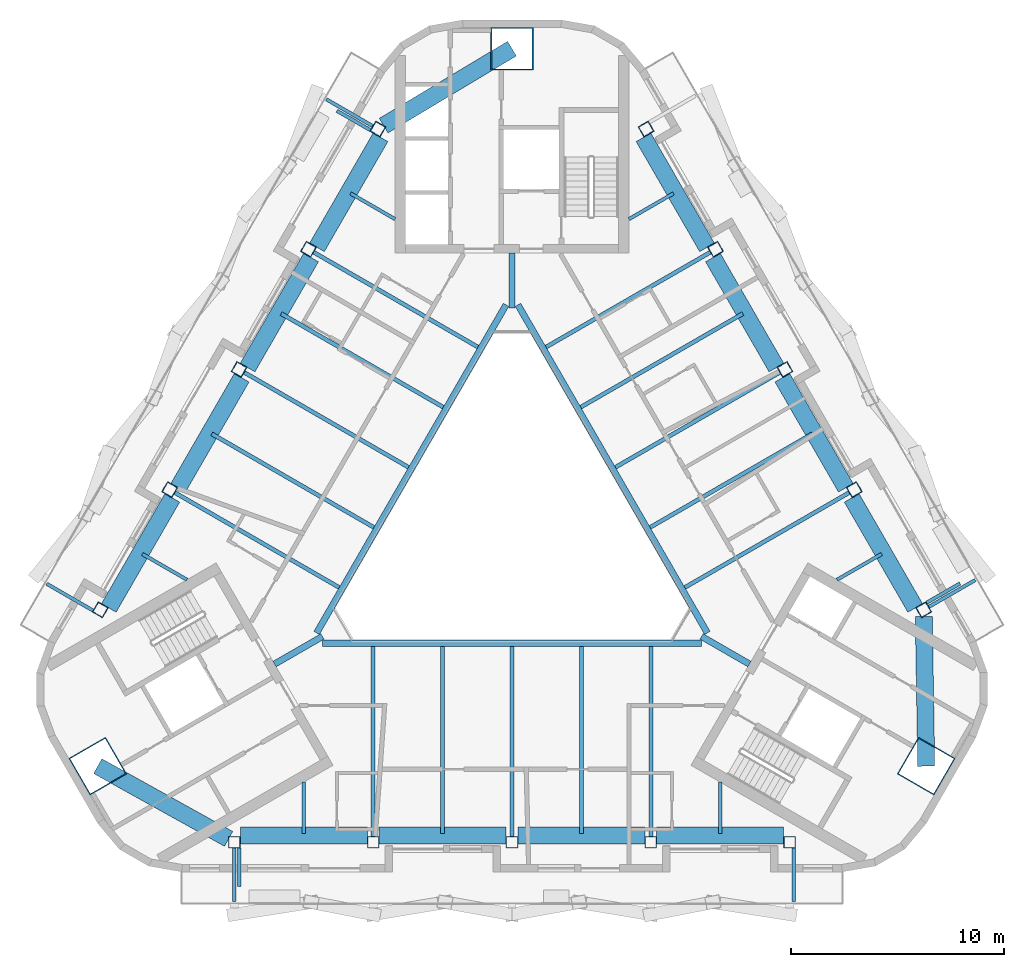
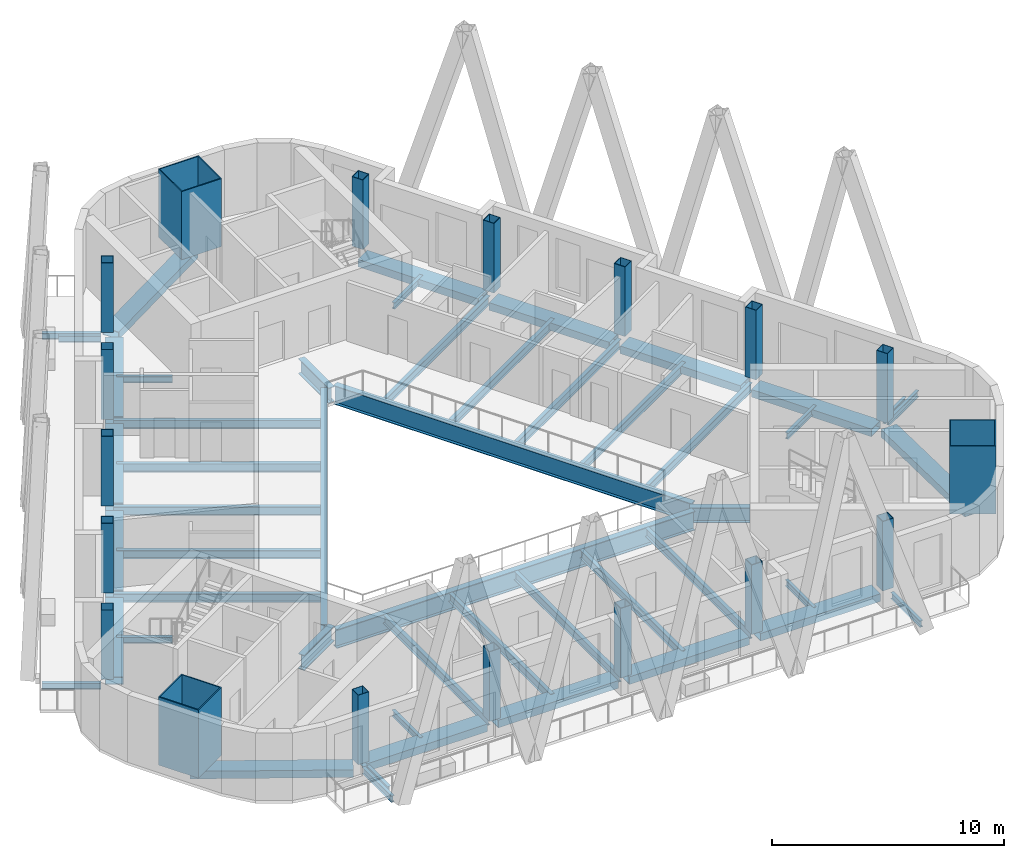
# One storey, part 1 of 11: 50 beams, 18 columns.
"""IFC4 building model written with IfcOpenShell, lengths in metres."""

import ifcopenshell
import ifcopenshell.guid

model = None  # the IFC model being written
_history = None  # IfcOwnerHistory: only IFC2X3 demands one
_inside = {}  # id of a spatial element -> (the spatial element, [elements in it])
_under = {}  # id of a project, library or spatial element -> (it, [spatial elements below it])
_declared = {}  # id of a project -> (the project, [libraries it declares])
_typed = {}  # id of a type object -> (the type object, [elements of that type])
_made_of = {}  # id of a material, layer set ... -> (it, [elements and type objects made of it])


def new_model(schema):
    """Start an empty IFC model of exactly this schema.

    Asked for "IFC4X3", IfcOpenShell would pick the latest addendum, in which some entities
    have other attributes; the version numbers below select the first issue.
    IFC2X3 requires an IfcOwnerHistory on every rooted entity: one is made here for all.
    """
    global model, _history
    if schema == "IFC4X3":
        model = ifcopenshell.file(schema_version=(4, 3, 0, 0))
    else:
        model = ifcopenshell.file(schema=schema)
    _inside.clear()
    _under.clear()
    _declared.clear()
    _typed.clear()
    _made_of.clear()
    _history = None
    if model.schema == "IFC2X3":
        org = make("IfcOrganization", Name="unknown")
        user = make(
            "IfcPersonAndOrganization",
            ThePerson=make("IfcPerson", FamilyName="unknown"),
            TheOrganization=org,
        )
        app = make(
            "IfcApplication",
            ApplicationDeveloper=org,
            Version="unknown",
            ApplicationFullName="unknown",
            ApplicationIdentifier="unknown",
        )
        _history = make(
            "IfcOwnerHistory",
            OwningUser=user,
            OwningApplication=app,
            ChangeAction="ADDED",
            CreationDate=0,
        )
    return model


def make(cls, **values):
    """One entity of the class cls with the attributes given. An attribute that is None is left unset."""
    return model.create_entity(
        cls, **{name: value for name, value in values.items() if value is not None}
    )


def rooted(cls, **values):
    """An entity with a GlobalId (a new one), such as an element, a storey or a relation."""
    return make(cls, GlobalId=ifcopenshell.guid.new(), OwnerHistory=_history, **values)


def si_unit(unit_type, name, prefix=None):
    """IfcSIUnit, for example si_unit("LENGTHUNIT", "METRE", prefix="MILLI")."""
    return make("IfcSIUnit", UnitType=unit_type, Prefix=prefix, Name=name)


def assignment(units):
    """IfcUnitAssignment: the units of a project."""
    return None if units is None else make("IfcUnitAssignment", Units=units)


def point(xyz):
    """IfcCartesianPoint."""
    return None if xyz is None else make("IfcCartesianPoint", Coordinates=xyz)


def direction(xyz):
    """IfcDirection."""
    return None if xyz is None else make("IfcDirection", DirectionRatios=xyz)


def frame(location, z_axis=None, x_axis=None):
    """IfcAxis2Placement3D, a coordinate frame: its origin and axes. An axis left out is left unset."""
    return make(
        "IfcAxis2Placement3D",
        Location=point(location),
        Axis=direction(z_axis),
        RefDirection=direction(x_axis),
    )


def frame_2d(location, x_axis=None):
    """IfcAxis2Placement2D, a coordinate frame in the plane: its origin and x axis."""
    return make(
        "IfcAxis2Placement2D", Location=point(location), RefDirection=direction(x_axis)
    )


def origin():
    """The frame at (0, 0, 0) with its axes left unset."""
    return frame((0.0, 0.0, 0.0))


def origin_2d():
    """The frame at (0, 0) in the plane with its x axis left unset."""
    return frame_2d((0.0, 0.0))


def place(relative_to, where):
    """IfcLocalPlacement: puts the frame where relative to a parent placement (None: the world)."""
    return make(
        "IfcLocalPlacement", PlacementRelTo=relative_to, RelativePlacement=where
    )


def context(
    kind, dimensions, precision=None, world=None, true_north=None, identifier=None
):
    """IfcGeometricRepresentationContext, for example the 3D "Model" context."""
    return make(
        "IfcGeometricRepresentationContext",
        ContextIdentifier=identifier,
        ContextType=kind,
        CoordinateSpaceDimension=dimensions,
        Precision=precision,
        WorldCoordinateSystem=world,
        TrueNorth=true_north,
    )


def subcontext(parent, identifier, kind, view, scale=None):
    """IfcGeometricRepresentationSubContext, for example "Body" below "Model"."""
    return make(
        "IfcGeometricRepresentationSubContext",
        ContextIdentifier=identifier,
        ContextType=kind,
        ParentContext=parent,
        TargetScale=scale,
        TargetView=view,
    )


def project(units=None, contexts=None):
    """IfcProject with its units and contexts."""
    return rooted(
        "IfcProject",
        Name="project",
        RepresentationContexts=contexts,
        UnitsInContext=assignment(units),
    )


def spatial(cls, under=None, at=None, **own):
    """A site, building, storey or space (cls), placed at a placement, below another one or the project."""
    s = rooted(cls, ObjectPlacement=at, **own)
    if under is not None:
        _under.setdefault(under.id(), (under, []))[1].append(s)
    return s


def profile(cls, at=None, kind="AREA", **sizes):
    """A parametric profile (cls). Its sizes go by their IFC names, for example OverallWidth=200.0."""
    return make(cls, ProfileType=kind, Position=at, **sizes)


def rectangle(**sizes):
    """IfcRectangleProfileDef."""
    return profile("IfcRectangleProfileDef", **sizes)


def hollow_rectangle(**sizes):
    """IfcRectangleHollowProfileDef."""
    return profile("IfcRectangleHollowProfileDef", **sizes)


def i_section(**sizes):
    """IfcIShapeProfileDef."""
    return profile("IfcIShapeProfileDef", **sizes)


def extrude(swept, where, along, depth):
    """IfcExtrudedAreaSolid: the profile swept, set in the frame where, extruded along a direction by depth."""
    return make(
        "IfcExtrudedAreaSolid",
        SweptArea=swept,
        Position=where,
        ExtrudedDirection=direction(along),
        Depth=depth,
    )


def boolean(op, a, b):
    """IfcBooleanResult of two solids."""
    return make("IfcBooleanResult", Operator=op, FirstOperand=a, SecondOperand=b)


def halfspace(plane, agree):
    """IfcHalfSpaceSolid: all space on one side of the plane z = 0 of the frame plane."""
    return make(
        "IfcHalfSpaceSolid",
        BaseSurface=make("IfcPlane", Position=plane),
        AgreementFlag=agree,
    )


def shape(context_of_items, identifier, shape_type, items):
    """IfcShapeRepresentation: the items that make up one representation, for example the "Body"."""
    return make(
        "IfcShapeRepresentation",
        ContextOfItems=context_of_items,
        RepresentationIdentifier=identifier,
        RepresentationType=shape_type,
        Items=items,
    )


def material(Name=None, Category=None):
    """IfcMaterial."""
    return make("IfcMaterial", Name=Name, Category=Category)


def material_profile(
    of_material, cross_section, Name=None, Category=None, Priority=None
):
    """IfcMaterialProfile: a cross section and its material."""
    return make(
        "IfcMaterialProfile",
        Name=Name,
        Material=of_material,
        Profile=cross_section,
        Priority=Priority,
        Category=Category,
    )


def profile_set(profiles, Name=None, composite=None):
    """IfcMaterialProfileSet."""
    return make(
        "IfcMaterialProfileSet",
        Name=Name,
        MaterialProfiles=profiles,
        CompositeProfile=composite,
    )


def made_of(thing, what):
    """Note that an element or type object is made of a material, layer set ...; save() writes the relation."""
    if what is not None:
        _made_of.setdefault(what.id(), (what, []))[1].append(thing)
    return thing


def type_object(cls, material=None, **own):
    """A type object (cls), such as IfcWallType, which elements share."""
    return made_of(rooted(cls, **own), material)


def element(
    cls,
    number,
    at=None,
    inside=None,
    cuts=None,
    type_object=None,
    material=None,
    context=None,
    identifier="Body",
    shape_type=None,
    held_by="IfcProductDefinitionShape",
    body=None,
    shapes=None,
    **own,
):
    """One element of the class cls, such as IfcWall. Its Tag is "e" and its number.

    at: its placement. inside: the storey or other place that contains it. cuts: it is an
    opening in that element (IfcRelVoidsElement). A single representation is given by context,
    identifier, shape_type and body (its items); several are given by shapes. held_by: the class
    of the entity that holds the representations. save() writes the other relations.
    """
    e = rooted(cls, Tag="e%d" % number, ObjectPlacement=at, **own)
    if body is not None:
        shapes = [shape(context, identifier, shape_type, body)]
    if shapes is not None:
        e.Representation = make(held_by, Representations=shapes)
    if inside is not None:
        _inside.setdefault(inside.id(), (inside, []))[1].append(e)
    if cuts is not None:
        rooted(
            "IfcRelVoidsElement", RelatingBuildingElement=cuts, RelatedOpeningElement=e
        )
    if type_object is not None:
        _typed.setdefault(type_object.id(), (type_object, []))[1].append(e)
    return made_of(e, material)


def aggregate(whole, parts):
    """IfcRelAggregates: a whole, such as a stair, and the parts it consists of."""
    return rooted("IfcRelAggregates", RelatingObject=whole, RelatedObjects=parts)


def save(model, path):
    """Write the relations noted so far, then the file.

    IfcRelAggregates (storeys below a building ...), IfcRelContainedInSpatialStructure (elements
    in a storey), IfcRelDefinesByType, IfcRelAssociatesMaterial and IfcRelDeclares: one each for
    every whole, place, type object, material and project.
    """
    for whole, parts in _under.values():
        aggregate(whole, parts)
    for where, things in _inside.values():
        rooted(
            "IfcRelContainedInSpatialStructure",
            RelatedElements=things,
            RelatingStructure=where,
        )
    for kind, things in _typed.values():
        rooted("IfcRelDefinesByType", RelatedObjects=things, RelatingType=kind)
    for what, things in _made_of.values():
        rooted("IfcRelAssociatesMaterial", RelatedObjects=things, RelatingMaterial=what)
    for by, libraries in _declared.values():
        rooted("IfcRelDeclares", RelatingContext=by, RelatedDefinitions=libraries)
    model.write(path)


model = new_model("IFC4")

# Units and contexts
model_context = context("Model", 3, precision=1e-05, world=origin(), true_north=direction((0.0, 1.0)))
body_context = subcontext(model_context, "Body", "Model", "MODEL_VIEW")
ifc_project = project(units=[si_unit("LENGTHUNIT", "METRE"), si_unit("AREAUNIT", "SQUARE_METRE"), si_unit("VOLUMEUNIT", "CUBIC_METRE"), si_unit("PLANEANGLEUNIT", "RADIAN"), si_unit("MASSUNIT", "GRAM", prefix="KILO")], contexts=[model_context])

# Site, building, storey
site_placement = place(None, origin())
site = spatial("IfcSite", under=ifc_project, at=site_placement, CompositionType="ELEMENT")
building_placement = place(site_placement, origin())
building = spatial("IfcBuilding", under=site, at=building_placement, Name="Apuvela Tower Hotel", CompositionType="ELEMENT")
storey_placement = place(building_placement, frame((0.0, 0.0, 313.300048828125)))
storey = spatial("IfcBuildingStorey", under=building, at=storey_placement, Name="L78", CompositionType="ELEMENT", Elevation=313.300048828125)

# Columns
ifc_material_1 = material(Name="Steel S460", Category="steel")
ifc_material_profile_1 = material_profile(ifc_material_1, hollow_rectangle(XDim=2.0, YDim=2.0, WallThickness=0.050048828125, at=origin_2d()), Name="BOX 2000x2000x50")
ifc_material_2 = material(Name="Concrete C80/95", Category="concrete")
ifc_material_profile_2 = material_profile(ifc_material_2, rectangle(XDim=1.89990234375, YDim=1.89990234375, at=origin_2d()), Name="Concrete C80/95 infill")
ifc_profile_set_1 = profile_set([ifc_material_profile_1, ifc_material_profile_2], Name="Steel S460")
column_type_1 = type_object("IfcColumnType", Name="STR-MC mega column BOX 2000x2000x50", PredefinedType="COLUMN", material=ifc_profile_set_1)
for number, where, z_axis, x_axis, name in (
    (1, (0.0, 22.507568359375, 0.0), (0.0, 0.0, 1.0), (1.0, 0.0, 0.0), "Mega column MC4 N"),
    (2, (-19.4921875, -11.25390625, 0.0), (0.0, 0.0, 1.0), (-0.5, 0.866025403784, 0.0), "Mega column MC4 SW"),
    (3, (19.4921875, -11.25390625, 0.0), (0.0, 0.0, 1.0), (0.5, 0.866025403784, 0.0), "Mega column MC4 SE"),
):
    element("IfcColumn", number, at=place(storey_placement, frame(where, z_axis=z_axis, x_axis=x_axis)), inside=storey, type_object=column_type_1, Name=name, PredefinedType="COLUMN", context=body_context, shape_type="SweptSolid", body=[
        boolean("DIFFERENCE", extrude(hollow_rectangle(XDim=2.0, YDim=2.0, WallThickness=0.050048828125, at=origin_2d()), origin(), (0.0, 0.0, 1.0), 3.699951171875), halfspace(frame((0.0, 0.0, 0.11328125), z_axis=(0.0, 0.0, 1.0), x_axis=(1.0, 0.0, 0.0)), True)),
    ])
ifc_material_profile_3 = material_profile(ifc_material_1, hollow_rectangle(XDim=0.550048828125, YDim=0.550048828125, WallThickness=0.02490234375, at=origin_2d()), Name="BOX 550x550x25")
ifc_material_profile_4 = material_profile(ifc_material_2, rectangle(XDim=0.5, YDim=0.5, at=origin_2d()), Name="Concrete C80/95 infill")
ifc_profile_set_2 = profile_set([ifc_material_profile_3, ifc_material_profile_4], Name="Steel S460")
column_type_2 = type_object("IfcColumnType", Name="STR-PC perimeter column BOX 550x550x25", PredefinedType="COLUMN", material=ifc_profile_set_2)
column_1_placement = place(storey_placement, frame((-13.061279296875, -14.827392578125, 0.0), z_axis=(0.0, 0.0, 1.0), x_axis=(-1.0, 0.0, 0.0)))
element("IfcColumn", 4, at=column_1_placement, inside=storey, type_object=column_type_2, Name="Perimeter column C7 S1", PredefinedType="COLUMN", context=body_context, shape_type="SweptSolid", body=[
    boolean("DIFFERENCE", extrude(hollow_rectangle(XDim=0.550048828125, YDim=0.550048828125, WallThickness=0.02490234375, at=origin_2d()), origin(), (0.0, 0.0, 1.0), 3.699951171875), halfspace(frame((0.0, 0.0, 0.039794921875), z_axis=(0.0, 0.0, 1.0), x_axis=(1.0, 0.0, 0.0)), True)),
])
column_2_placement = place(storey_placement, frame((-6.53076171875, -14.827392578125, 0.0), z_axis=(0.0, 0.0, 1.0), x_axis=(-1.0, 0.0, 0.0)))
element("IfcColumn", 5, at=column_2_placement, inside=storey, type_object=column_type_2, Name="Perimeter column C7 S2", PredefinedType="COLUMN", context=body_context, shape_type="SweptSolid", body=[
    boolean("DIFFERENCE", extrude(hollow_rectangle(XDim=0.550048828125, YDim=0.550048828125, WallThickness=0.02490234375, at=origin_2d()), origin(), (0.0, 0.0, 1.0), 3.699951171875), halfspace(frame((0.0, 0.0, 0.033935546875), z_axis=(0.0, 0.0, 1.0), x_axis=(1.0, 0.0, 0.0)), True)),
])
column_3_placement = place(storey_placement, frame((0.0, -14.827392578125, 0.0), z_axis=(0.0, 0.0, 1.0), x_axis=(-1.0, 0.0, 0.0)))
element("IfcColumn", 6, at=column_3_placement, inside=storey, type_object=column_type_2, Name="Perimeter column C7 S3", PredefinedType="COLUMN", context=body_context, shape_type="SweptSolid", body=[
    boolean("DIFFERENCE", extrude(hollow_rectangle(XDim=0.550048828125, YDim=0.550048828125, WallThickness=0.02490234375, at=origin_2d()), origin(), (0.0, 0.0, 1.0), 3.699951171875), halfspace(frame((0.0, 0.0, 0.031494140625), z_axis=(0.0, 0.0, 1.0), x_axis=(1.0, 0.0, 0.0)), True)),
])
column_4_placement = place(storey_placement, frame((6.53076171875, -14.827392578125, 0.0), z_axis=(0.0, 0.0, 1.0), x_axis=(-1.0, 0.0, 0.0)))
element("IfcColumn", 7, at=column_4_placement, inside=storey, type_object=column_type_2, Name="Perimeter column C7 S4", PredefinedType="COLUMN", context=body_context, shape_type="SweptSolid", body=[
    boolean("DIFFERENCE", extrude(hollow_rectangle(XDim=0.550048828125, YDim=0.550048828125, WallThickness=0.02490234375, at=origin_2d()), origin(), (0.0, 0.0, 1.0), 3.699951171875), halfspace(frame((0.0, 0.0, 0.033935546875), z_axis=(0.0, 0.0, 1.0), x_axis=(1.0, 0.0, 0.0)), True)),
])
for number, where, z_axis, x_axis, name in (
    (8, (13.061279296875, -14.827392578125, 0.0), (0.0, 0.0, 1.0), (-1.0, 0.0, 0.0), "Perimeter column C7 S5"),
    (9, (19.37158203125, -3.897705078125, 0.0), (0.0, 0.0, 1.0), (-0.5, 0.866025403784, 0.0), "Perimeter column C7 NE1"),
):
    element("IfcColumn", number, at=place(storey_placement, frame(where, z_axis=z_axis, x_axis=x_axis)), inside=storey, type_object=column_type_2, Name=name, PredefinedType="COLUMN", context=body_context, shape_type="SweptSolid", body=[
        boolean("DIFFERENCE", extrude(hollow_rectangle(XDim=0.550048828125, YDim=0.550048828125, WallThickness=0.02490234375, at=origin_2d()), origin(), (0.0, 0.0, 1.0), 3.699951171875), halfspace(frame((0.0, 0.0, 0.039794921875), z_axis=(0.0, 0.0, 1.0), x_axis=(1.0, 0.0, 0.0)), True)),
    ])
column_5_placement = place(storey_placement, frame((16.106201171875, 1.758056640625, 0.0), z_axis=(0.0, 0.0, 1.0), x_axis=(-0.5, 0.866025403784, 0.0)))
element("IfcColumn", 10, at=column_5_placement, inside=storey, type_object=column_type_2, Name="Perimeter column C7 NE2", PredefinedType="COLUMN", context=body_context, shape_type="SweptSolid", body=[
    boolean("DIFFERENCE", extrude(hollow_rectangle(XDim=0.550048828125, YDim=0.550048828125, WallThickness=0.02490234375, at=origin_2d()), origin(), (0.0, 0.0, 1.0), 3.699951171875), halfspace(frame((0.0, 0.0, 0.033935546875), z_axis=(0.0, 0.0, 1.0), x_axis=(1.0, 0.0, 0.0)), True)),
])
column_6_placement = place(storey_placement, frame((12.841064453125, 7.413818359375, 0.0), z_axis=(0.0, 0.0, 1.0), x_axis=(-0.5, 0.866025403784, 0.0)))
element("IfcColumn", 11, at=column_6_placement, inside=storey, type_object=column_type_2, Name="Perimeter column C7 NE3", PredefinedType="COLUMN", context=body_context, shape_type="SweptSolid", body=[
    boolean("DIFFERENCE", extrude(hollow_rectangle(XDim=0.550048828125, YDim=0.550048828125, WallThickness=0.02490234375, at=origin_2d()), origin(), (0.0, 0.0, 1.0), 3.699951171875), halfspace(frame((0.0, 0.0, 0.031494140625), z_axis=(0.0, 0.0, 1.0), x_axis=(1.0, 0.0, 0.0)), True)),
])
column_7_placement = place(storey_placement, frame((9.57568359375, 13.069580078125, 0.0), z_axis=(0.0, 0.0, 1.0), x_axis=(-0.5, 0.866025403784, 0.0)))
element("IfcColumn", 12, at=column_7_placement, inside=storey, type_object=column_type_2, Name="Perimeter column C7 NE4", PredefinedType="COLUMN", context=body_context, shape_type="SweptSolid", body=[
    boolean("DIFFERENCE", extrude(hollow_rectangle(XDim=0.550048828125, YDim=0.550048828125, WallThickness=0.02490234375, at=origin_2d()), origin(), (0.0, 0.0, 1.0), 3.699951171875), halfspace(frame((0.0, 0.0, 0.033935546875), z_axis=(0.0, 0.0, 1.0), x_axis=(1.0, 0.0, 0.0)), True)),
])
for number, where, z_axis, x_axis, name in (
    (13, (6.310302734375, 18.72509765625, 0.0), (0.0, 0.0, 1.0), (-0.5, 0.866025403784, 0.0), "Perimeter column C7 NE5"),
    (14, (-6.310302734375, 18.72509765625, 0.0), (0.0, 0.0, 1.0), (0.5, 0.866025403784, 0.0), "Perimeter column C7 NW1"),
):
    element("IfcColumn", number, at=place(storey_placement, frame(where, z_axis=z_axis, x_axis=x_axis)), inside=storey, type_object=column_type_2, Name=name, PredefinedType="COLUMN", context=body_context, shape_type="SweptSolid", body=[
        boolean("DIFFERENCE", extrude(hollow_rectangle(XDim=0.550048828125, YDim=0.550048828125, WallThickness=0.02490234375, at=origin_2d()), origin(), (0.0, 0.0, 1.0), 3.699951171875), halfspace(frame((0.0, 0.0, 0.039794921875), z_axis=(0.0, 0.0, 1.0), x_axis=(1.0, 0.0, 0.0)), True)),
    ])
column_8_placement = place(storey_placement, frame((-9.57568359375, 13.069580078125, 0.0), z_axis=(0.0, 0.0, 1.0), x_axis=(0.5, 0.866025403784, 0.0)))
element("IfcColumn", 15, at=column_8_placement, inside=storey, type_object=column_type_2, Name="Perimeter column C7 NW2", PredefinedType="COLUMN", context=body_context, shape_type="SweptSolid", body=[
    boolean("DIFFERENCE", extrude(hollow_rectangle(XDim=0.550048828125, YDim=0.550048828125, WallThickness=0.02490234375, at=origin_2d()), origin(), (0.0, 0.0, 1.0), 3.699951171875), halfspace(frame((0.0, 0.0, 0.033935546875), z_axis=(0.0, 0.0, 1.0), x_axis=(1.0, 0.0, 0.0)), True)),
])
column_9_placement = place(storey_placement, frame((-12.841064453125, 7.413818359375, 0.0), z_axis=(0.0, 0.0, 1.0), x_axis=(0.5, 0.866025403784, 0.0)))
element("IfcColumn", 16, at=column_9_placement, inside=storey, type_object=column_type_2, Name="Perimeter column C7 NW3", PredefinedType="COLUMN", context=body_context, shape_type="SweptSolid", body=[
    boolean("DIFFERENCE", extrude(hollow_rectangle(XDim=0.550048828125, YDim=0.550048828125, WallThickness=0.02490234375, at=origin_2d()), origin(), (0.0, 0.0, 1.0), 3.699951171875), halfspace(frame((0.0, 0.0, 0.031494140625), z_axis=(0.0, 0.0, 1.0), x_axis=(1.0, 0.0, 0.0)), True)),
])
column_10_placement = place(storey_placement, frame((-16.106201171875, 1.758056640625, 0.0), z_axis=(0.0, 0.0, 1.0), x_axis=(0.5, 0.866025403784, 0.0)))
element("IfcColumn", 17, at=column_10_placement, inside=storey, type_object=column_type_2, Name="Perimeter column C7 NW4", PredefinedType="COLUMN", context=body_context, shape_type="SweptSolid", body=[
    boolean("DIFFERENCE", extrude(hollow_rectangle(XDim=0.550048828125, YDim=0.550048828125, WallThickness=0.02490234375, at=origin_2d()), origin(), (0.0, 0.0, 1.0), 3.699951171875), halfspace(frame((0.0, 0.0, 0.033935546875), z_axis=(0.0, 0.0, 1.0), x_axis=(1.0, 0.0, 0.0)), True)),
])
column_11_placement = place(storey_placement, frame((-19.37158203125, -3.897705078125, 0.0), z_axis=(0.0, 0.0, 1.0), x_axis=(0.5, 0.866025403784, 0.0)))
element("IfcColumn", 18, at=column_11_placement, inside=storey, type_object=column_type_2, Name="Perimeter column C7 NW5", PredefinedType="COLUMN", context=body_context, shape_type="SweptSolid", body=[
    boolean("DIFFERENCE", extrude(hollow_rectangle(XDim=0.550048828125, YDim=0.550048828125, WallThickness=0.02490234375, at=origin_2d()), origin(), (0.0, 0.0, 1.0), 3.699951171875), halfspace(frame((0.0, 0.0, 0.039794921875), z_axis=(0.0, 0.0, 1.0), x_axis=(1.0, 0.0, 0.0)), True)),
])

# Beams
ifc_material_3 = material(Name="Steel S355", Category="steel")
ifc_material_profile_5 = material_profile(ifc_material_3, i_section(OverallWidth=0.159912109375, OverallDepth=0.330078125, WebThickness=0.007568359375, FlangeThickness=0.011474609375, at=origin_2d()), Name="IPE 330")
ifc_profile_set_3 = profile_set([ifc_material_profile_5], Name="Steel S355")
beam_type_1 = type_object("IfcBeamType", Name="ENV-BALCONY-BEAM-IPE330", PredefinedType="BEAM", material=ifc_profile_set_3)
beam_1_placement = place(storey_placement, frame((-13.061279296875, -15.1025390625, -0.31494140625), z_axis=(0.0, -1.0, 0.0), x_axis=(1.0, 0.0, 0.0)))
element("IfcBeam", 19, at=beam_1_placement, inside=storey, type_object=beam_type_1, Name="Balcony cantilever beam S1 L78", PredefinedType="BEAM", context=body_context, shape_type="SweptSolid", body=[
    extrude(i_section(OverallWidth=0.159912109375, OverallDepth=0.330078125, WebThickness=0.007568359375, FlangeThickness=0.011474609375, at=origin_2d()), origin(), (0.0, 0.0, 1.0), 2.52490234375),
])
beam_2_placement = place(storey_placement, frame((-12.84130859375, -15.1025390625, -0.31494140625), z_axis=(0.0, -1.0, 0.0), x_axis=(1.0, 0.0, 0.0)))
element("IfcBeam", 20, at=beam_2_placement, inside=storey, type_object=beam_type_1, Name="Balcony cantilever beam S2 L78", PredefinedType="BEAM", context=body_context, shape_type="SweptSolid", body=[
    extrude(i_section(OverallWidth=0.159912109375, OverallDepth=0.330078125, WebThickness=0.007568359375, FlangeThickness=0.011474609375, at=origin_2d()), origin(), (0.0, 0.0, 1.0), 1.824951171875),
])
for number, where, z_axis, x_axis, name in (
    (21, (13.26123046875, -15.1025390625, -0.31494140625), (0.0, -1.0, 0.0), (1.0, 0.0, 0.0), "Balcony cantilever beam S3 L78"),
    (22, (19.60986328125, -3.76025390625, -0.31494140625), (0.866014894461, 0.50001820224, 0.0), (-0.50001820224, 0.866014894461, 0.0), "Balcony cantilever beam NE1 L78"),
):
    element("IfcBeam", number, at=place(storey_placement, frame(where, z_axis=z_axis, x_axis=x_axis)), inside=storey, type_object=beam_type_1, Name=name, PredefinedType="BEAM", context=body_context, shape_type="SweptSolid", body=[
        extrude(i_section(OverallWidth=0.159912109375, OverallDepth=0.330078125, WebThickness=0.007568359375, FlangeThickness=0.011474609375, at=origin_2d()), origin(), (0.0, 0.0, 1.0), 2.52490234375),
    ])
beam_3_placement = place(storey_placement, frame((19.499755859375, -3.569580078125, -0.31494140625), z_axis=(0.866069751741, 0.499923179218, 0.0), x_axis=(-0.499923179218, 0.866069751741, 0.0)))
element("IfcBeam", 23, at=beam_3_placement, inside=storey, type_object=beam_type_1, Name="Balcony cantilever beam NE2 L78", PredefinedType="BEAM", context=body_context, shape_type="SweptSolid", body=[
    extrude(i_section(OverallWidth=0.159912109375, OverallDepth=0.330078125, WebThickness=0.007568359375, FlangeThickness=0.011474609375, at=origin_2d()), origin(), (0.0, 0.0, 1.0), 1.824951171875),
])
beam_4_placement = place(storey_placement, frame((-6.548583984375, 18.86279296875, -0.31494140625), z_axis=(-0.866014894461, 0.50001820224, 0.0), x_axis=(-0.50001820224, -0.866014894461, 0.0)))
element("IfcBeam", 24, at=beam_4_placement, inside=storey, type_object=beam_type_1, Name="Balcony cantilever beam NW1 L78", PredefinedType="BEAM", context=body_context, shape_type="SweptSolid", body=[
    extrude(i_section(OverallWidth=0.159912109375, OverallDepth=0.330078125, WebThickness=0.007568359375, FlangeThickness=0.011474609375, at=origin_2d()), origin(), (0.0, 0.0, 1.0), 2.52490234375),
])
beam_5_placement = place(storey_placement, frame((-6.658447265625, 18.672119140625, -0.31494140625), z_axis=(-0.866011828767, 0.500023511883, 0.0), x_axis=(-0.500023511883, -0.866011828767, 0.0)))
element("IfcBeam", 25, at=beam_5_placement, inside=storey, type_object=beam_type_1, Name="Balcony cantilever beam NW2 L78", PredefinedType="BEAM", context=body_context, shape_type="SweptSolid", body=[
    extrude(i_section(OverallWidth=0.159912109375, OverallDepth=0.330078125, WebThickness=0.007568359375, FlangeThickness=0.011474609375, at=origin_2d()), origin(), (0.0, 0.0, 1.0), 1.8251953125),
])
beam_6_placement = place(storey_placement, frame((-19.709716796875, -3.933349609375, -0.31494140625), z_axis=(-0.866039067339, 0.499976333282, 0.0), x_axis=(-0.499976333282, -0.866039067339, 0.0)))
element("IfcBeam", 26, at=beam_6_placement, inside=storey, type_object=beam_type_1, Name="Balcony cantilever beam NW3 L78", PredefinedType="BEAM", context=body_context, shape_type="SweptSolid", body=[
    extrude(i_section(OverallWidth=0.159912109375, OverallDepth=0.330078125, WebThickness=0.007568359375, FlangeThickness=0.011474609375, at=origin_2d()), origin(), (0.0, 0.0, 1.0), 2.52490234375),
])
ifc_material_profile_6 = material_profile(ifc_material_3, i_section(OverallWidth=0.159912109375, OverallDepth=0.330078125, WebThickness=0.007568359375, FlangeThickness=0.011474609375, at=origin_2d()), Name="IPE 330")
ifc_profile_set_4 = profile_set([ifc_material_profile_6], Name="Steel S355")
beam_type_2 = type_object("IfcBeamType", Name="STR-B floor beam IPE 330", PredefinedType="BEAM", material=ifc_profile_set_4)
for number, where, z_axis, x_axis, name in (
    (27, (17.392578125, -1.27001953125, -0.31494140625), (-0.866081473455, -0.499902871904, 0.0), (0.499902871904, -0.866081473455, 0.0), "Floor beam B1 NE2"),
    (28, (7.5966796875, 15.697265625, -0.31494140625), (-0.866037809602, -0.499978511878, 0.0), (0.499978511878, -0.866037809602, 0.0), "Floor beam B1 NE8"),
    (29, (-7.5966796875, 15.697265625, -0.31494140625), (0.866037809602, -0.499978511878, 0.0), (0.499978511878, 0.866037809602, 0.0), "Floor beam B1 NW2"),
    (30, (-17.392578125, -1.27001953125, -0.31494140625), (0.866081473455, -0.499902871904, 0.0), (0.499902871904, 0.866081473455, 0.0), "Floor beam B1 NW8"),
    (31, (-9.7958984375, -14.427490234375, -0.31494140625), (0.0, 1.0, 0.0), (-1.0, 0.0, 0.0), "Floor beam B1 S2"),
    (32, (9.7958984375, -14.427490234375, -0.31494140625), (0.0, 1.0, 0.0), (-1.0, 0.0, 0.0), "Floor beam B1 S8"),
):
    element("IfcBeam", number, at=place(storey_placement, frame(where, z_axis=z_axis, x_axis=x_axis)), inside=storey, type_object=beam_type_2, Name=name, PredefinedType="BEAM", context=body_context, shape_type="SweptSolid", body=[
        extrude(i_section(OverallWidth=0.159912109375, OverallDepth=0.330078125, WebThickness=0.007568359375, FlangeThickness=0.011474609375, at=origin_2d()), origin(), (0.0, 0.0, 1.0), 2.4208984375),
    ])
ifc_material_profile_7 = material_profile(ifc_material_3, i_section(OverallWidth=0.18994140625, OverallDepth=0.449951171875, WebThickness=0.009521484375, FlangeThickness=0.0146484375, at=origin_2d()), Name="IPE 450")
ifc_profile_set_5 = profile_set([ifc_material_profile_7], Name="Steel S355")
beam_type_3 = type_object("IfcBeamType", Name="STR-B floor beam IPE 450", PredefinedType="BEAM", material=ifc_profile_set_5)
beam_7_placement = place(storey_placement, frame((15.8681640625, 1.62060546875, -0.375), z_axis=(-0.866024464444, -0.500001626982, 0.0), x_axis=(0.500001626982, -0.866024464444, 0.0)))
element("IfcBeam", 33, at=beam_7_placement, inside=storey, type_object=beam_type_3, Name="Floor beam B9 NE3", PredefinedType="BEAM", context=body_context, shape_type="SweptSolid", body=[
    extrude(i_section(OverallWidth=0.18994140625, OverallDepth=0.449951171875, WebThickness=0.009521484375, FlangeThickness=0.0146484375, at=origin_2d()), origin(), (0.0, 0.0, 1.0), 8.9326171875),
])
beam_8_placement = place(storey_placement, frame((14.127197265625, 4.385986328125, -0.375), z_axis=(-0.86602032779, -0.500008791777, 0.0), x_axis=(0.500008791777, -0.86602032779, 0.0)))
element("IfcBeam", 34, at=beam_8_placement, inside=storey, type_object=beam_type_3, Name="Floor beam B9 NE4", PredefinedType="BEAM", context=body_context, shape_type="SweptSolid", body=[
    extrude(i_section(OverallWidth=0.18994140625, OverallDepth=0.449951171875, WebThickness=0.009521484375, FlangeThickness=0.0146484375, at=origin_2d()), origin(), (0.0, 0.0, 1.0), 8.807373046875),
])
beam_9_placement = place(storey_placement, frame((12.602783203125, 7.276123046875, -0.375), z_axis=(-0.866029466572, -0.499992962979, 0.0), x_axis=(0.499992962979, -0.866029466572, 0.0)))
element("IfcBeam", 35, at=beam_9_placement, inside=storey, type_object=beam_type_3, Name="Floor beam B9 NE5", PredefinedType="BEAM", context=body_context, shape_type="SweptSolid", body=[
    extrude(i_section(OverallWidth=0.18994140625, OverallDepth=0.449951171875, WebThickness=0.009521484375, FlangeThickness=0.0146484375, at=origin_2d()), origin(), (0.0, 0.0, 1.0), 8.932373046875),
])
beam_10_placement = place(storey_placement, frame((10.86181640625, 10.04150390625, -0.375), z_axis=(-0.86603233085, -0.499988001778, 0.0), x_axis=(0.499988001778, -0.86603233085, 0.0)))
element("IfcBeam", 36, at=beam_10_placement, inside=storey, type_object=beam_type_3, Name="Floor beam B9 NE6", PredefinedType="BEAM", context=body_context, shape_type="SweptSolid", body=[
    extrude(i_section(OverallWidth=0.18994140625, OverallDepth=0.449951171875, WebThickness=0.009521484375, FlangeThickness=0.0146484375, at=origin_2d()), origin(), (0.0, 0.0, 1.0), 8.807373046875),
])
for number, where, z_axis, x_axis, name in (
    (37, (9.33740234375, 12.931884765625, -0.375), (-0.866029466572, -0.499992962979, 0.0), (0.499992962979, -0.866029466572, 0.0), "Floor beam B9 NE7"),
    (38, (-9.33740234375, 12.931884765625, -0.375), (0.866029466572, -0.499992962979, 0.0), (0.499992962979, 0.866029466572, 0.0), "Floor beam B9 NW3"),
):
    element("IfcBeam", number, at=place(storey_placement, frame(where, z_axis=z_axis, x_axis=x_axis)), inside=storey, type_object=beam_type_3, Name=name, PredefinedType="BEAM", context=body_context, shape_type="SweptSolid", body=[
        extrude(i_section(OverallWidth=0.18994140625, OverallDepth=0.449951171875, WebThickness=0.009521484375, FlangeThickness=0.0146484375, at=origin_2d()), origin(), (0.0, 0.0, 1.0), 8.932373046875),
    ])
beam_11_placement = place(storey_placement, frame((-10.86181640625, 10.04150390625, -0.375), z_axis=(0.86603233085, -0.499988001778, 0.0), x_axis=(0.499988001778, 0.86603233085, 0.0)))
element("IfcBeam", 39, at=beam_11_placement, inside=storey, type_object=beam_type_3, Name="Floor beam B9 NW4", PredefinedType="BEAM", context=body_context, shape_type="SweptSolid", body=[
    extrude(i_section(OverallWidth=0.18994140625, OverallDepth=0.449951171875, WebThickness=0.009521484375, FlangeThickness=0.0146484375, at=origin_2d()), origin(), (0.0, 0.0, 1.0), 8.807373046875),
])
beam_12_placement = place(storey_placement, frame((-12.602783203125, 7.276123046875, -0.375), z_axis=(0.866029466572, -0.499992962979, 0.0), x_axis=(0.499992962979, 0.866029466572, 0.0)))
element("IfcBeam", 40, at=beam_12_placement, inside=storey, type_object=beam_type_3, Name="Floor beam B9 NW5", PredefinedType="BEAM", context=body_context, shape_type="SweptSolid", body=[
    extrude(i_section(OverallWidth=0.18994140625, OverallDepth=0.449951171875, WebThickness=0.009521484375, FlangeThickness=0.0146484375, at=origin_2d()), origin(), (0.0, 0.0, 1.0), 8.932373046875),
])
beam_13_placement = place(storey_placement, frame((-14.127197265625, 4.385986328125, -0.375), z_axis=(0.86602032779, -0.500008791777, 0.0), x_axis=(0.500008791777, 0.86602032779, 0.0)))
element("IfcBeam", 41, at=beam_13_placement, inside=storey, type_object=beam_type_3, Name="Floor beam B9 NW6", PredefinedType="BEAM", context=body_context, shape_type="SweptSolid", body=[
    extrude(i_section(OverallWidth=0.18994140625, OverallDepth=0.449951171875, WebThickness=0.009521484375, FlangeThickness=0.0146484375, at=origin_2d()), origin(), (0.0, 0.0, 1.0), 8.807373046875),
])
beam_14_placement = place(storey_placement, frame((-15.8681640625, 1.62060546875, -0.375), z_axis=(0.866024464444, -0.500001626982, 0.0), x_axis=(0.500001626982, 0.866024464444, 0.0)))
element("IfcBeam", 42, at=beam_14_placement, inside=storey, type_object=beam_type_3, Name="Floor beam B9 NW7", PredefinedType="BEAM", context=body_context, shape_type="SweptSolid", body=[
    extrude(i_section(OverallWidth=0.18994140625, OverallDepth=0.449951171875, WebThickness=0.009521484375, FlangeThickness=0.0146484375, at=origin_2d()), origin(), (0.0, 0.0, 1.0), 8.9326171875),
])
beam_15_placement = place(storey_placement, frame((-6.53076171875, -14.552490234375, -0.375), z_axis=(0.0, 1.0, 0.0), x_axis=(-1.0, 0.0, 0.0)))
element("IfcBeam", 43, at=beam_15_placement, inside=storey, type_object=beam_type_3, Name="Floor beam B9 S3", PredefinedType="BEAM", context=body_context, shape_type="SweptSolid", body=[
    extrude(i_section(OverallWidth=0.18994140625, OverallDepth=0.449951171875, WebThickness=0.009521484375, FlangeThickness=0.0146484375, at=origin_2d()), origin(), (0.0, 0.0, 1.0), 8.932373046875),
])
beam_16_placement = place(storey_placement, frame((-3.265380859375, -14.427490234375, -0.375), z_axis=(0.0, 1.0, 0.0), x_axis=(-1.0, 0.0, 0.0)))
element("IfcBeam", 44, at=beam_16_placement, inside=storey, type_object=beam_type_3, Name="Floor beam B9 S4", PredefinedType="BEAM", context=body_context, shape_type="SweptSolid", body=[
    extrude(i_section(OverallWidth=0.18994140625, OverallDepth=0.449951171875, WebThickness=0.009521484375, FlangeThickness=0.0146484375, at=origin_2d()), origin(), (0.0, 0.0, 1.0), 8.807373046875),
])
beam_17_placement = place(storey_placement, frame((0.0, -14.552490234375, -0.375), z_axis=(0.0, 1.0, 0.0), x_axis=(-1.0, 0.0, 0.0)))
element("IfcBeam", 45, at=beam_17_placement, inside=storey, type_object=beam_type_3, Name="Floor beam B9 S5", PredefinedType="BEAM", context=body_context, shape_type="SweptSolid", body=[
    extrude(i_section(OverallWidth=0.18994140625, OverallDepth=0.449951171875, WebThickness=0.009521484375, FlangeThickness=0.0146484375, at=origin_2d()), origin(), (0.0, 0.0, 1.0), 8.932373046875),
])
beam_18_placement = place(storey_placement, frame((3.265380859375, -14.427490234375, -0.375), z_axis=(0.0, 1.0, 0.0), x_axis=(-1.0, 0.0, 0.0)))
element("IfcBeam", 46, at=beam_18_placement, inside=storey, type_object=beam_type_3, Name="Floor beam B9 S6", PredefinedType="BEAM", context=body_context, shape_type="SweptSolid", body=[
    extrude(i_section(OverallWidth=0.18994140625, OverallDepth=0.449951171875, WebThickness=0.009521484375, FlangeThickness=0.0146484375, at=origin_2d()), origin(), (0.0, 0.0, 1.0), 8.807373046875),
])
beam_19_placement = place(storey_placement, frame((6.53076171875, -14.552490234375, -0.375), z_axis=(0.0, 1.0, 0.0), x_axis=(-1.0, 0.0, 0.0)))
element("IfcBeam", 47, at=beam_19_placement, inside=storey, type_object=beam_type_3, Name="Floor beam B9 S7", PredefinedType="BEAM", context=body_context, shape_type="SweptSolid", body=[
    extrude(i_section(OverallWidth=0.18994140625, OverallDepth=0.449951171875, WebThickness=0.009521484375, FlangeThickness=0.0146484375, at=origin_2d()), origin(), (0.0, 0.0, 1.0), 8.932373046875),
])
ifc_material_profile_8 = material_profile(ifc_material_3, i_section(OverallWidth=0.300048828125, OverallDepth=0.989990234375, WebThickness=0.0166015625, FlangeThickness=0.031005859375, at=origin_2d()), Name="HE 1000 A")
ifc_profile_set_6 = profile_set([ifc_material_profile_8], Name="Steel S355")
beam_type_4 = type_object("IfcBeamType", Name="STR-G atrium ring girder HE 1000 A", PredefinedType="BEAM", material=ifc_profile_set_6)
beam_20_placement = place(storey_placement, frame((-0.27978515625, 10.455078125, -0.64501953125), z_axis=(-0.500006541319, -0.866021627119, 0.0), x_axis=(0.866021627119, -0.500006541319, 0.0)))
element("IfcBeam", 48, at=beam_20_placement, inside=storey, type_object=beam_type_4, Name="Atrium ring girder G3 N-SW", PredefinedType="BEAM", context=body_context, shape_type="SweptSolid", body=[
    extrude(i_section(OverallWidth=0.300048828125, OverallDepth=0.989990234375, WebThickness=0.0166015625, FlangeThickness=0.031005859375, at=origin_2d()), origin(), (0.0, 0.0, 1.0), 17.828857421875),
])
beam_21_placement = place(storey_placement, frame((-8.91455078125, -5.469970703125, -0.64501953125), z_axis=(1.0, 0.0, 0.0), x_axis=(0.0, 1.0, 0.0)))
element("IfcBeam", 49, at=beam_21_placement, inside=storey, type_object=beam_type_4, Name="Atrium ring girder G3 SW-SE", PredefinedType="BEAM", context=body_context, shape_type="SweptSolid", body=[
    extrude(i_section(OverallWidth=0.300048828125, OverallDepth=0.989990234375, WebThickness=0.0166015625, FlangeThickness=0.031005859375, at=origin_2d()), origin(), (0.0, 0.0, 1.0), 17.8291015625),
])
beam_22_placement = place(storey_placement, frame((9.1943359375, -4.985107421875, -0.64501953125), z_axis=(-0.500006541319, 0.866021627119, 0.0), x_axis=(-0.866021627119, -0.500006541319, 0.0)))
element("IfcBeam", 50, at=beam_22_placement, inside=storey, type_object=beam_type_4, Name="Atrium ring girder G3 SE-N", PredefinedType="BEAM", context=body_context, shape_type="SweptSolid", body=[
    extrude(i_section(OverallWidth=0.300048828125, OverallDepth=0.989990234375, WebThickness=0.0166015625, FlangeThickness=0.031005859375, at=origin_2d()), origin(), (0.0, 0.0, 1.0), 17.828857421875),
])
ifc_material_profile_9 = material_profile(ifc_material_3, i_section(OverallWidth=0.300048828125, OverallDepth=0.800048828125, WebThickness=0.017578125, FlangeThickness=0.032958984375, at=origin_2d()), Name="HE 800 B")
ifc_profile_set_7 = profile_set([ifc_material_profile_9], Name="Steel S355")
beam_type_5 = type_object("IfcBeamType", Name="STR-GT core tie beam HE 800 B", PredefinedType="BEAM", material=ifc_profile_set_7)
for number, where, z_axis, x_axis, name in (
    (51, (0.0, 12.89990234375, -0.550048828125), (0.0, -1.0, 0.0), (1.0, 0.0, 0.0), "Core tie beam GT1 N"),
    (52, (-11.171630859375, -6.449951171875, -0.550048828125), (0.865997922154, 0.500047596559, 0.0), (-0.500047596559, 0.865997922154, 0.0), "Core tie beam GT1 SW"),
    (53, (11.171630859375, -6.449951171875, -0.550048828125), (-0.865997922154, 0.500047596559, 0.0), (-0.500047596559, -0.865997922154, 0.0), "Core tie beam GT1 SE"),
):
    element("IfcBeam", number, at=place(storey_placement, frame(where, z_axis=z_axis, x_axis=x_axis)), inside=storey, type_object=beam_type_5, Name=name, PredefinedType="BEAM", context=body_context, shape_type="SweptSolid", body=[
        extrude(i_section(OverallWidth=0.300048828125, OverallDepth=0.800048828125, WebThickness=0.017578125, FlangeThickness=0.032958984375, at=origin_2d()), origin(), (0.0, 0.0, 1.0), 2.599853515625),
    ])
ifc_material_profile_10 = material_profile(ifc_material_1, hollow_rectangle(XDim=0.800048828125, YDim=0.39990234375, WallThickness=0.02490234375, at=origin_2d()), Name="BOX 800x400x25")
ifc_profile_set_8 = profile_set([ifc_material_profile_10], Name="Steel S460")
beam_type_6 = type_object("IfcBeamType", Name="STR-RB perimeter ring beam BOX 800x400x25", PredefinedType="SPANDREL", material=ifc_profile_set_8)
for number, where, z_axis, x_axis, name in (
    (54, (-12.786376953125, -14.527587890625, -0.400146484375), (1.0, 0.0, 0.0), (0.0, 1.0, 0.0), "Ring beam RB1 S1"),
    (55, (-6.255615234375, -14.527587890625, -0.400146484375), (1.0, 0.0, 0.0), (0.0, 1.0, 0.0), "Ring beam RB1 S2"),
    (56, (0.27490234375, -14.527587890625, -0.400146484375), (1.0, 0.0, 0.0), (0.0, 1.0, 0.0), "Ring beam RB1 S3"),
    (57, (6.8056640625, -14.527587890625, -0.400146484375), (1.0, 0.0, 0.0), (0.0, 1.0, 0.0), "Ring beam RB1 S4"),
    (58, (18.974365234375, -3.8095703125, -0.400146484375), (-0.50001573759, 0.866016317492, 0.0), (-0.866016317492, -0.50001573759, 0.0), "Ring beam RB1 NE1"),
    (59, (15.708984375, 1.84619140625, -0.400146484375), (-0.499985121587, 0.86603399367, 0.0), (-0.86603399367, -0.499985121587, 0.0), "Ring beam RB1 NE2"),
    (60, (12.443603515625, 7.501953125, -0.400146484375), (-0.499985121587, 0.86603399367, 0.0), (-0.86603399367, -0.499985121587, 0.0), "Ring beam RB1 NE3"),
):
    element("IfcBeam", number, at=place(storey_placement, frame(where, z_axis=z_axis, x_axis=x_axis)), inside=storey, type_object=beam_type_6, Name=name, PredefinedType="SPANDREL", context=body_context, shape_type="SweptSolid", body=[
        extrude(hollow_rectangle(XDim=0.800048828125, YDim=0.39990234375, WallThickness=0.02490234375, at=origin_2d()), origin(), (0.0, 0.0, 1.0), 5.980712890625),
    ])
for number, where, z_axis, x_axis, name in (
    (61, (9.17822265625, 13.15771484375, -0.400146484375), (-0.500002798105, 0.866023788292, 0.0), (-0.866023788292, -0.500002798105, 0.0), "Ring beam RB1 NE4"),
    (62, (-6.18798828125, 18.3369140625, -0.400146484375), (-0.500002798105, -0.866023788292, 0.0), (0.866023788292, -0.500002798105, 0.0), "Ring beam RB1 NW1"),
):
    element("IfcBeam", number, at=place(storey_placement, frame(where, z_axis=z_axis, x_axis=x_axis)), inside=storey, type_object=beam_type_6, Name=name, PredefinedType="SPANDREL", context=body_context, shape_type="SweptSolid", body=[
        extrude(hollow_rectangle(XDim=0.800048828125, YDim=0.39990234375, WallThickness=0.02490234375, at=origin_2d()), origin(), (0.0, 0.0, 1.0), 5.98046875),
    ])
for number, where, z_axis, x_axis, name in (
    (63, (-9.453369140625, 12.681396484375, -0.400146484375), (-0.499985121587, -0.86603399367, 0.0), (0.86603399367, -0.499985121587, 0.0), "Ring beam RB1 NW2"),
    (64, (-12.71875, 7.025634765625, -0.400146484375), (-0.499985121587, -0.86603399367, 0.0), (0.86603399367, -0.499985121587, 0.0), "Ring beam RB1 NW3"),
    (65, (-15.98388671875, 1.369873046875, -0.400146484375), (-0.50001573759, -0.866016317492, 0.0), (0.866016317492, -0.50001573759, 0.0), "Ring beam RB1 NW4"),
):
    element("IfcBeam", number, at=place(storey_placement, frame(where, z_axis=z_axis, x_axis=x_axis)), inside=storey, type_object=beam_type_6, Name=name, PredefinedType="SPANDREL", context=body_context, shape_type="SweptSolid", body=[
        extrude(hollow_rectangle(XDim=0.800048828125, YDim=0.39990234375, WallThickness=0.02490234375, at=origin_2d()), origin(), (0.0, 0.0, 1.0), 5.980712890625),
    ])
for number, where, z_axis, x_axis, name in (
    (66, (-13.336181640625, -14.674560546875, -0.400146484375), (-0.874118028073, 0.485713570943, 0.0), (-0.485713570943, -0.874118028073, 0.0), "Ring beam RB1 S1-SW"),
    (67, (19.376708984375, -4.21240234375, -0.400146484375), (0.016397489985, -0.999865552123, 0.0), (0.999865552123, 0.016397489985, 0.0), "Ring beam RB1 NE1-SE"),
    (68, (-6.04052734375, 18.886962890625, -0.400146484375), (0.857725309483, 0.514108250733, 0.0), (-0.514108250733, 0.857725309483, 0.0), "Ring beam RB1 NW1-N"),
):
    element("IfcBeam", number, at=place(storey_placement, frame(where, z_axis=z_axis, x_axis=x_axis)), inside=storey, type_object=beam_type_6, Name=name, PredefinedType="SPANDREL", context=body_context, shape_type="SweptSolid", body=[
        extrude(hollow_rectangle(XDim=0.800048828125, YDim=0.39990234375, WallThickness=0.02490234375, at=origin_2d()), origin(), (0.0, 0.0, 1.0), 7.04248046875),
    ])

save(model, "model.ifc")
